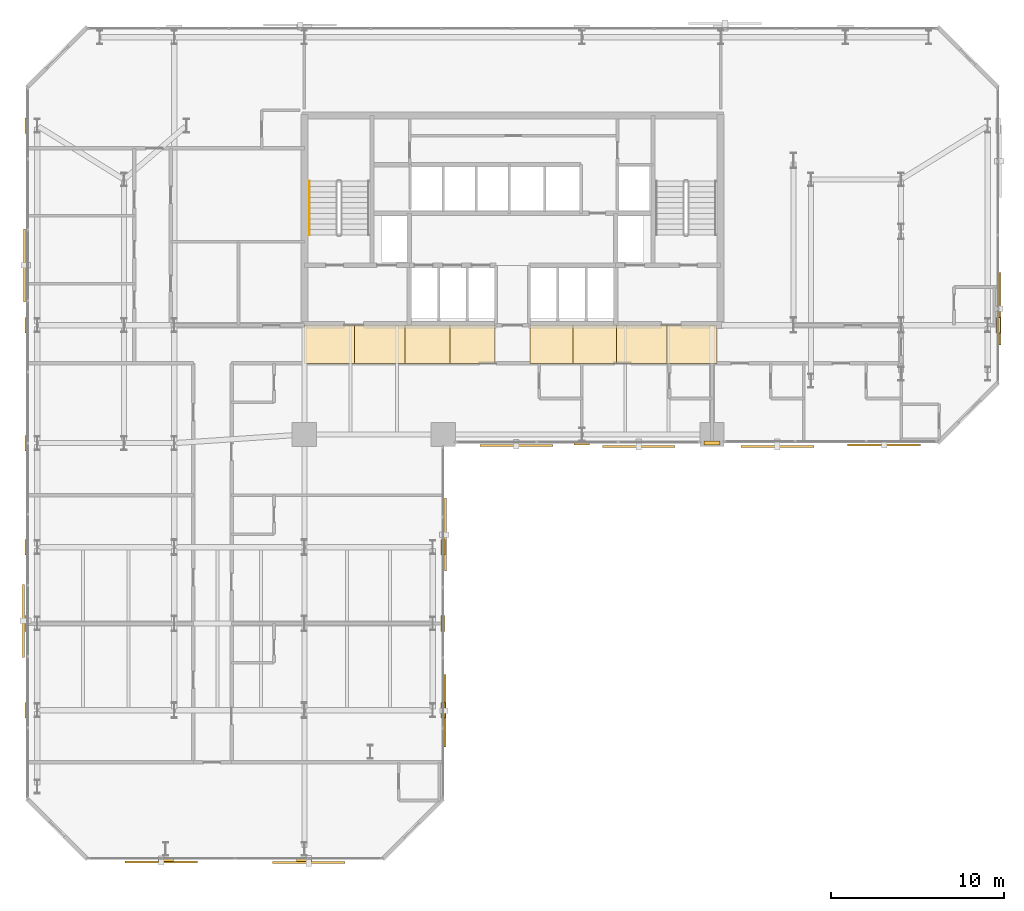
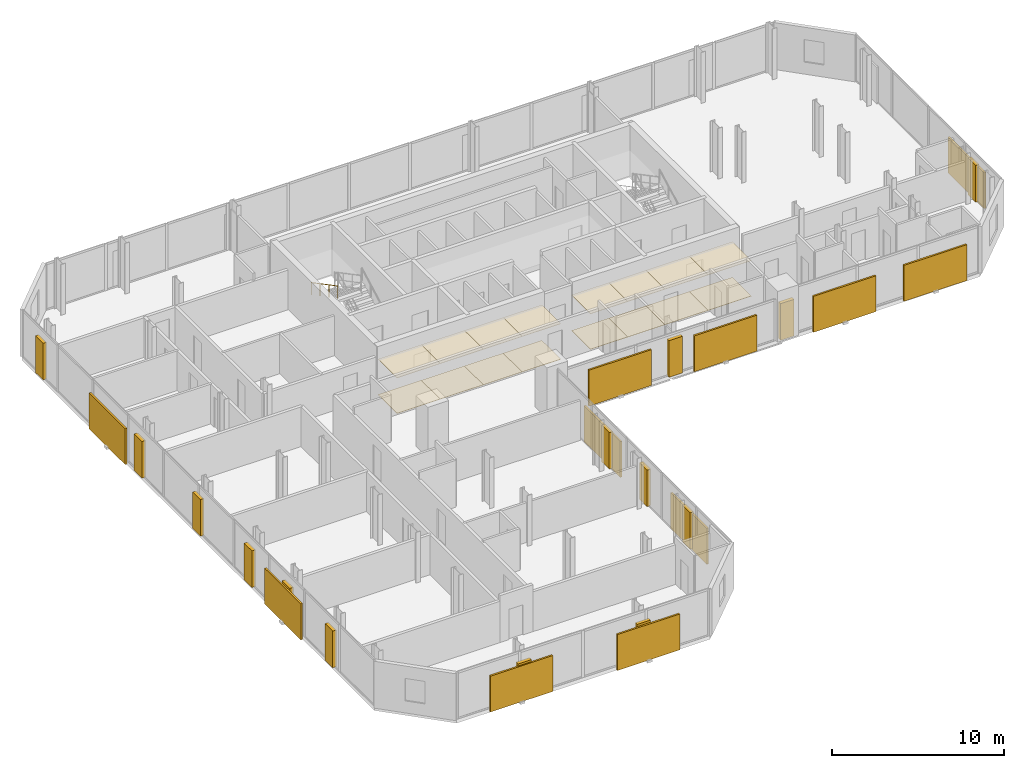
# One storey, part 31 of 32: 30 coverings, 11 shading devices, 1 railing.
"""IFC4 building model written with IfcOpenShell, lengths in metres."""

from ifc_helpers import new_model, si_unit, direction, frame, origin, origin_2d, place, context, subcontext, project, spatial, polyline, rectangle, circle, outline, extrude, material, layer, layer_set, type_object, element, save


model = new_model("IFC4")

# Units and contexts
model_context = context("Model", 3, precision=1e-05, world=origin(), true_north=direction((0.0, 1.0)))
body_context = subcontext(model_context, "Body", "Model", "MODEL_VIEW")
ifc_project = project(units=[si_unit("LENGTHUNIT", "METRE"), si_unit("AREAUNIT", "SQUARE_METRE"), si_unit("VOLUMEUNIT", "CUBIC_METRE"), si_unit("PLANEANGLEUNIT", "RADIAN"), si_unit("MASSUNIT", "GRAM", prefix="KILO")], contexts=[model_context])

# Site, building, storey
site_placement = place(None, origin())
site = spatial("IfcSite", under=ifc_project, at=site_placement, CompositionType="ELEMENT")
building_placement = place(site_placement, origin())
building = spatial("IfcBuilding", under=site, at=building_placement, Name="Catumbela Crestline Tower", CompositionType="ELEMENT")
storey_placement = place(building_placement, frame((0.0, 0.0, 61.8)))
storey = spatial("IfcBuildingStorey", under=building, at=storey_placement, Name="L15", CompositionType="ELEMENT", Elevation=61.8)

# Coverings
ifc_material_1 = material(Name="Mineral-fibre acoustic ceiling")
ifc_layer_1 = layer(ifc_material_1, 0.03, Name="Mineral-fibre acoustic ceiling")
ifc_layer_set_1 = layer_set([ifc_layer_1], Name="Mineral-fibre acoustic ceiling")
covering_type_1 = type_object("IfcCoveringType", Name="CC-AC", PredefinedType="CEILING", material=ifc_layer_set_1)
covering_1_placement = place(storey_placement, frame((0.0, 0.0, 2.52)))
element("IfcCovering", 1, at=covering_1_placement, inside=storey, type_object=covering_type_1, Name="L15 Corridor Acoustic Ceiling Bay 1", PredefinedType="CEILING", context=body_context, shape_type="SweptSolid", body=[
    extrude(outline(polyline([(16.0, 28.6), (18.9, 28.6), (18.9, 30.8), (16.0, 30.8), (16.0, 28.6)])), origin(), (0.0, 0.0, 1.0), 0.03),
])
covering_2_placement = place(storey_placement, frame((0.0, 0.0, 2.52)))
element("IfcCovering", 2, at=covering_2_placement, inside=storey, type_object=covering_type_1, Name="L15 Corridor Acoustic Ceiling Bay 2", PredefinedType="CEILING", context=body_context, shape_type="SweptSolid", body=[
    extrude(outline(polyline([(18.9, 28.6), (21.8, 28.6), (21.8, 30.8), (18.9, 30.8), (18.9, 28.6)])), origin(), (0.0, 0.0, 1.0), 0.03),
])
covering_3_placement = place(storey_placement, frame((0.0, 0.0, 2.52)))
element("IfcCovering", 3, at=covering_3_placement, inside=storey, type_object=covering_type_1, Name="L15 Corridor Acoustic Ceiling Bay 3", PredefinedType="CEILING", context=body_context, shape_type="SweptSolid", body=[
    extrude(outline(polyline([(21.8, 28.6), (24.4, 28.6), (24.4, 30.8), (21.8, 30.8), (21.8, 28.6)])), origin(), (0.0, 0.0, 1.0), 0.03),
])
covering_4_placement = place(storey_placement, frame((0.0, 0.0, 2.52)))
element("IfcCovering", 4, at=covering_4_placement, inside=storey, type_object=covering_type_1, Name="L15 Corridor Acoustic Ceiling Bay 4", PredefinedType="CEILING", context=body_context, shape_type="SweptSolid", body=[
    extrude(outline(polyline([(24.4, 28.6), (27.0, 28.6), (27.0, 30.8), (24.4, 30.8), (24.4, 28.6)])), origin(), (0.0, 0.0, 1.0), 0.03),
])
covering_5_placement = place(storey_placement, frame((0.0, 0.0, 2.52)))
element("IfcCovering", 5, at=covering_5_placement, inside=storey, type_object=covering_type_1, Name="L15 Corridor Acoustic Ceiling Bay 5", PredefinedType="CEILING", context=body_context, shape_type="SweptSolid", body=[
    extrude(outline(polyline([(29.0, 28.6), (31.5, 28.6), (31.5, 30.8), (29.0, 30.8), (29.0, 28.6)])), origin(), (0.0, 0.0, 1.0), 0.03),
])
covering_6_placement = place(storey_placement, frame((0.0, 0.0, 2.52)))
element("IfcCovering", 6, at=covering_6_placement, inside=storey, type_object=covering_type_1, Name="L15 Corridor Acoustic Ceiling Bay 6", PredefinedType="CEILING", context=body_context, shape_type="SweptSolid", body=[
    extrude(outline(polyline([(31.5, 28.6), (34.0, 28.6), (34.0, 30.8), (31.5, 30.8), (31.5, 28.6)])), origin(), (0.0, 0.0, 1.0), 0.03),
])
covering_7_placement = place(storey_placement, frame((0.0, 0.0, 2.52)))
element("IfcCovering", 7, at=covering_7_placement, inside=storey, type_object=covering_type_1, Name="L15 Corridor Acoustic Ceiling Bay 7", PredefinedType="CEILING", context=body_context, shape_type="SweptSolid", body=[
    extrude(outline(polyline([(34.0, 28.6), (36.9, 28.6), (36.9, 30.8), (34.0, 30.8), (34.0, 28.6)])), origin(), (0.0, 0.0, 1.0), 0.03),
])
covering_8_placement = place(storey_placement, frame((0.0, 0.0, 2.52)))
element("IfcCovering", 8, at=covering_8_placement, inside=storey, type_object=covering_type_1, Name="L15 Corridor Acoustic Ceiling Bay 8", PredefinedType="CEILING", context=body_context, shape_type="SweptSolid", body=[
    extrude(outline(polyline([(36.9, 28.6), (39.8, 28.6), (39.8, 30.8), (36.9, 30.8), (36.9, 28.6)])), origin(), (0.0, 0.0, 1.0), 0.03),
])
ifc_material_2 = material(Name="Extruded terracotta ceramic", Category="masonry")
ifc_layer_2 = layer(ifc_material_2, 0.08, Name="Extruded terracotta ceramic")
ifc_layer_set_2 = layer_set([ifc_layer_2], Name="Extruded terracotta ceramic")
covering_type_2 = type_object("IfcCoveringType", Name="CC-TER", PredefinedType="CLADDING", material=ifc_layer_set_2)
for number, where, z_axis, x_axis, name in (
    (9, (8.0, 0.0, 0.0), (0.0, 0.0, 1.0), (1.0, 0.0, 0.0), "L15 Fluted Terracotta Column Cladding 62"),
    (10, (16.0, 0.0, 0.0), (0.0, 0.0, 1.0), (1.0, 0.0, 0.0), "L15 Fluted Terracotta Column Cladding 63"),
    (11, (24.0, 8.6, 0.0), (0.0, 0.0, 1.0), (0.0, 1.0, 0.0), "L15 Fluted Terracotta Column Cladding 64"),
    (12, (24.0, 13.6, 0.0), (0.0, 0.0, 1.0), (0.0, 1.0, 0.0), "L15 Fluted Terracotta Column Cladding 65"),
    (13, (24.0, 18.0, 0.0), (0.0, 0.0, 1.0), (0.0, 1.0, 0.0), "L15 Fluted Terracotta Column Cladding 66"),
    (14, (32.0, 24.0, 0.0), (0.0, 0.0, 1.0), (1.0, 0.0, 0.0), "L15 Fluted Terracotta Column Cladding 67"),
    (15, (39.5, 24.0, 0.0), (0.0, 0.0, 1.0), (1.0, 0.0, 0.0), "L15 Fluted Terracotta Column Cladding 68"),
    (16, (56.0, 30.8, 0.0), (0.0, 0.0, 1.0), (0.0, 1.0, 0.0), "L15 Fluted Terracotta Column Cladding 69"),
    (17, (0.0, 24.0, 0.0), (0.0, 0.0, 1.0), (0.0, -1.0, 0.0), "L15 Fluted Terracotta Column Cladding 76"),
    (18, (0.0, 30.8, 0.0), (0.0, 0.0, 1.0), (0.0, -1.0, 0.0), "L15 Fluted Terracotta Column Cladding 77"),
    (19, (0.0, 42.3, 0.0), (0.0, 0.0, 1.0), (0.0, -1.0, 0.0), "L15 Fluted Terracotta Column Cladding 78"),
    (20, (0.0, 8.6, 0.0), (0.0, 0.0, 1.0), (0.0, -1.0, 0.0), "L15 Fluted Terracotta Column Cladding 79"),
    (21, (0.0, 13.6, 0.0), (0.0, 0.0, 1.0), (0.0, -1.0, 0.0), "L15 Fluted Terracotta Column Cladding 80"),
    (22, (0.0, 18.0, 0.0), (0.0, 0.0, 1.0), (0.0, -1.0, 0.0), "L15 Fluted Terracotta Column Cladding 81"),
):
    element("IfcCovering", number, at=place(storey_placement, frame(where, z_axis=z_axis, x_axis=x_axis)), inside=storey, type_object=covering_type_2, Name=name, PredefinedType="CLADDING", context=body_context, shape_type="SweptSolid", body=[
        extrude(rectangle(XDim=0.9, YDim=0.24, at=origin_2d()), origin(), (0.0, 0.0, 1.0), 2.6),
    ])
ifc_material_3 = material(Name="Angolan grey-ochre granite", Category="masonry")
ifc_layer_3 = layer(ifc_material_3, 0.025, Name="Angolan grey-ochre granite")
ifc_layer_set_3 = layer_set([ifc_layer_3], Name="Angolan grey-ochre granite")
covering_type_3 = type_object("IfcCoveringType", Name="CF-GR", PredefinedType="FLOORING", material=ifc_layer_set_3)
covering_9_placement = place(storey_placement, origin())
element("IfcCovering", 23, at=covering_9_placement, inside=storey, type_object=covering_type_3, Name="L15 Corridor Granite Flooring Bay 1", PredefinedType="FLOORING", context=body_context, shape_type="SweptSolid", body=[
    extrude(outline(polyline([(16.0, 28.6), (18.9, 28.6), (18.9, 30.8), (16.0, 30.8), (16.0, 28.6)])), origin(), (0.0, 0.0, 1.0), 0.025),
])
covering_10_placement = place(storey_placement, origin())
element("IfcCovering", 24, at=covering_10_placement, inside=storey, type_object=covering_type_3, Name="L15 Corridor Granite Flooring Bay 2", PredefinedType="FLOORING", context=body_context, shape_type="SweptSolid", body=[
    extrude(outline(polyline([(18.9, 28.6), (21.8, 28.6), (21.8, 30.8), (18.9, 30.8), (18.9, 28.6)])), origin(), (0.0, 0.0, 1.0), 0.025),
])
covering_11_placement = place(storey_placement, origin())
element("IfcCovering", 25, at=covering_11_placement, inside=storey, type_object=covering_type_3, Name="L15 Corridor Granite Flooring Bay 3", PredefinedType="FLOORING", context=body_context, shape_type="SweptSolid", body=[
    extrude(outline(polyline([(21.8, 28.6), (24.4, 28.6), (24.4, 30.8), (21.8, 30.8), (21.8, 28.6)])), origin(), (0.0, 0.0, 1.0), 0.025),
])
covering_12_placement = place(storey_placement, origin())
element("IfcCovering", 26, at=covering_12_placement, inside=storey, type_object=covering_type_3, Name="L15 Corridor Granite Flooring Bay 4", PredefinedType="FLOORING", context=body_context, shape_type="SweptSolid", body=[
    extrude(outline(polyline([(24.4, 28.6), (27.0, 28.6), (27.0, 30.8), (24.4, 30.8), (24.4, 28.6)])), origin(), (0.0, 0.0, 1.0), 0.025),
])
covering_13_placement = place(storey_placement, origin())
element("IfcCovering", 27, at=covering_13_placement, inside=storey, type_object=covering_type_3, Name="L15 Corridor Granite Flooring Bay 5", PredefinedType="FLOORING", context=body_context, shape_type="SweptSolid", body=[
    extrude(outline(polyline([(29.0, 28.6), (31.5, 28.6), (31.5, 30.8), (29.0, 30.8), (29.0, 28.6)])), origin(), (0.0, 0.0, 1.0), 0.025),
])
covering_14_placement = place(storey_placement, origin())
element("IfcCovering", 28, at=covering_14_placement, inside=storey, type_object=covering_type_3, Name="L15 Corridor Granite Flooring Bay 6", PredefinedType="FLOORING", context=body_context, shape_type="SweptSolid", body=[
    extrude(outline(polyline([(31.5, 28.6), (34.0, 28.6), (34.0, 30.8), (31.5, 30.8), (31.5, 28.6)])), origin(), (0.0, 0.0, 1.0), 0.025),
])
covering_15_placement = place(storey_placement, origin())
element("IfcCovering", 29, at=covering_15_placement, inside=storey, type_object=covering_type_3, Name="L15 Corridor Granite Flooring Bay 7", PredefinedType="FLOORING", context=body_context, shape_type="SweptSolid", body=[
    extrude(outline(polyline([(34.0, 28.6), (36.9, 28.6), (36.9, 30.8), (34.0, 30.8), (34.0, 28.6)])), origin(), (0.0, 0.0, 1.0), 0.025),
])
covering_16_placement = place(storey_placement, origin())
element("IfcCovering", 30, at=covering_16_placement, inside=storey, type_object=covering_type_3, Name="L15 Corridor Granite Flooring Bay 8", PredefinedType="FLOORING", context=body_context, shape_type="SweptSolid", body=[
    extrude(outline(polyline([(36.9, 28.6), (39.8, 28.6), (39.8, 30.8), (36.9, 30.8), (36.9, 28.6)])), origin(), (0.0, 0.0, 1.0), 0.025),
])

# Railing
ifc_material_4 = material(Name="Stainless steel EN 1.4401", Category="steel")
railing_type = type_object("IfcRailingType", Name="RH-0900", PredefinedType="HANDRAIL", material=ifc_material_4)
railing_placement = place(storey_placement, frame((16.3, 39.1, 1.9636)))
element("IfcRailing", 31, at=railing_placement, inside=storey, type_object=railing_type, Name="L15 ST-01 stair handrail 2", PredefinedType="HANDRAIL", context=body_context, shape_type="SweptSolid", body=[
    extrude(circle(Radius=0.024, at=origin_2d()), frame((0.0, 0.0, 0.876), z_axis=(0.0, -0.884350731049, 0.466823076222), x_axis=(1.0, 0.0, 0.0)), (0.0, 0.0, 1.0), 3.5054),
    extrude(circle(Radius=0.021, at=origin_2d()), origin(), (0.0, 0.0, 1.0), 0.852),
    extrude(circle(Radius=0.021, at=origin_2d()), frame((0.0, -1.0333, 0.5455)), (0.0, 0.0, 1.0), 0.852),
    extrude(circle(Radius=0.021, at=origin_2d()), frame((0.0, -2.0667, 1.0909)), (0.0, 0.0, 1.0), 0.852),
    extrude(circle(Radius=0.021, at=origin_2d()), frame((0.0, -3.1, 1.6364)), (0.0, 0.0, 1.0), 0.852),
])

# Shading devices
shading_device_type_1 = type_object("IfcShadingDeviceType", Name="ST-180", PredefinedType="USERDEFINED", material=ifc_material_2)
for number, where, z_axis, x_axis, name in (
    (32, (24.099, 8.575, -0.1), (0.0, 0.0, 1.0), (0.0, 1.0, 0.0), "L15 Perforated Terracotta Solar Screen 143 (180 mm)"),
    (33, (49.425, 23.901, -0.1), (0.0, 0.0, 1.0), (1.0, 0.0, 0.0), "L15 Perforated Terracotta Solar Screen 148 (180 mm)"),
    (34, (56.099, 31.75, -0.1), (0.0, 0.0, 1.0), (0.0, 1.0, 0.0), "L15 Perforated Terracotta Solar Screen 149 (180 mm)"),
):
    element("IfcShadingDevice", number, at=place(storey_placement, frame(where, z_axis=z_axis, x_axis=x_axis)), inside=storey, type_object=shading_device_type_1, Name=name, ObjectType="SCREEN", PredefinedType="USERDEFINED", context=body_context, shape_type="SweptSolid", body=[
        extrude(rectangle(XDim=4.2, YDim=0.12, at=origin_2d()), origin(), (0.0, 0.0, 1.0), 2.55),
    ])
shading_device_type_2 = type_object("IfcShadingDeviceType", Name="ST-260", PredefinedType="USERDEFINED", material=ifc_material_2)
for number, where, z_axis, x_axis, name in (
    (35, (7.75, -0.143, -0.1), (0.0, 0.0, 1.0), (1.0, 0.0, 0.0), "L15 Perforated Terracotta Solar Screen 141 (260 mm)"),
    (36, (24.143, 18.725, -0.1), (0.0, 0.0, 1.0), (0.0, 1.0, 0.0), "L15 Perforated Terracotta Solar Screen 144 (260 mm)"),
    (37, (28.225, 23.857, -0.1), (0.0, 0.0, 1.0), (1.0, 0.0, 0.0), "L15 Perforated Terracotta Solar Screen 145 (260 mm)"),
    (38, (-0.143, 34.25, -0.1), (0.0, 0.0, 1.0), (0.0, -1.0, 0.0), "L15 Perforated Terracotta Solar Screen 153 (260 mm)"),
):
    element("IfcShadingDevice", number, at=place(storey_placement, frame(where, z_axis=z_axis, x_axis=x_axis)), inside=storey, type_object=shading_device_type_2, Name=name, ObjectType="SCREEN", PredefinedType="USERDEFINED", context=body_context, shape_type="SweptSolid", body=[
        extrude(rectangle(XDim=4.2, YDim=0.12, at=origin_2d()), origin(), (0.0, 0.0, 1.0), 2.55),
    ])
shading_device_type_3 = type_object("IfcShadingDeviceType", Name="ST-340", PredefinedType="USERDEFINED", material=ifc_material_2)
for number, where, z_axis, x_axis, name in (
    (39, (16.25, -0.187, -0.1), (0.0, 0.0, 1.0), (1.0, 0.0, 0.0), "L15 Perforated Terracotta Solar Screen 142 (340 mm)"),
    (40, (35.275, 23.813, -0.1), (0.0, 0.0, 1.0), (1.0, 0.0, 0.0), "L15 Perforated Terracotta Solar Screen 146 (340 mm)"),
    (41, (43.275, 23.813, -0.1), (0.0, 0.0, 1.0), (1.0, 0.0, 0.0), "L15 Perforated Terracotta Solar Screen 147 (340 mm)"),
    (42, (-0.187, 13.75, -0.1), (0.0, 0.0, 1.0), (0.0, -1.0, 0.0), "L15 Perforated Terracotta Solar Screen 154 (340 mm)"),
):
    element("IfcShadingDevice", number, at=place(storey_placement, frame(where, z_axis=z_axis, x_axis=x_axis)), inside=storey, type_object=shading_device_type_3, Name=name, ObjectType="SCREEN", PredefinedType="USERDEFINED", context=body_context, shape_type="SweptSolid", body=[
        extrude(rectangle(XDim=4.2, YDim=0.12, at=origin_2d()), origin(), (0.0, 0.0, 1.0), 2.55),
    ])

save(model, "model.ifc")
